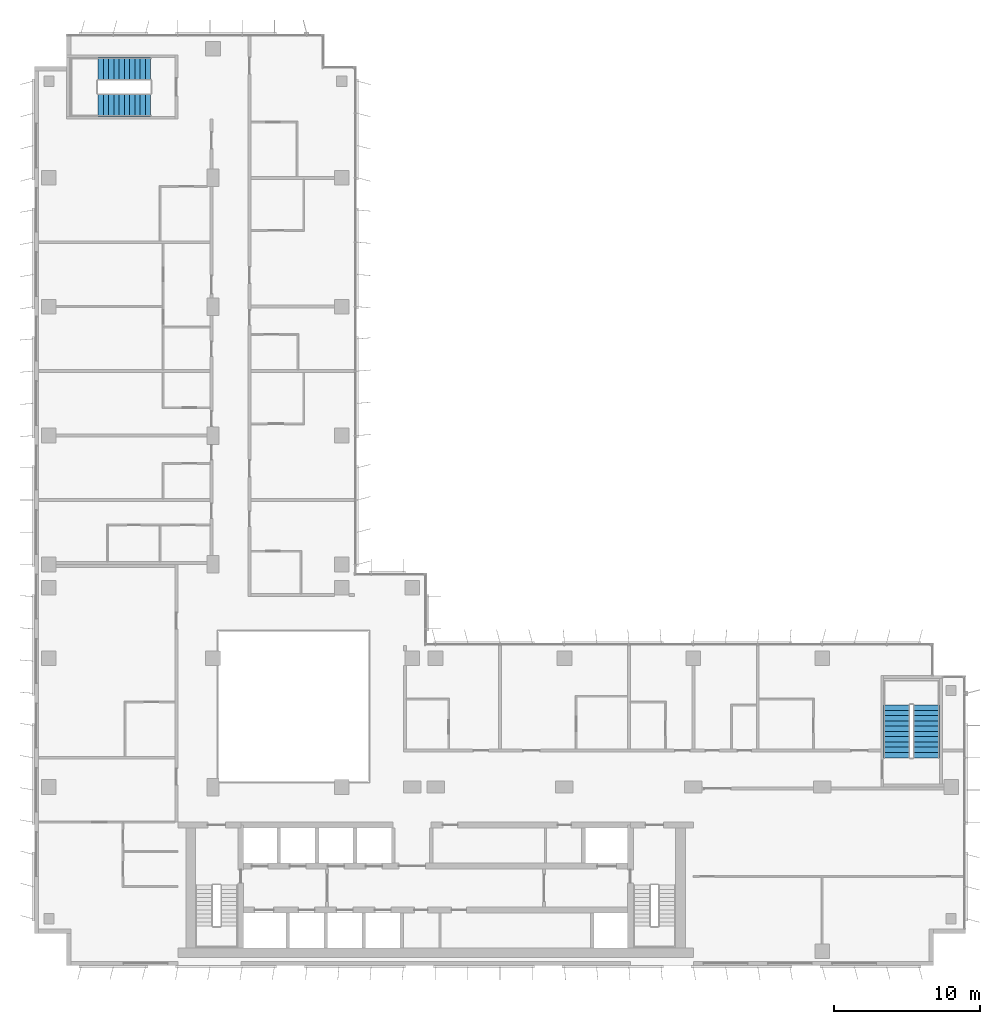
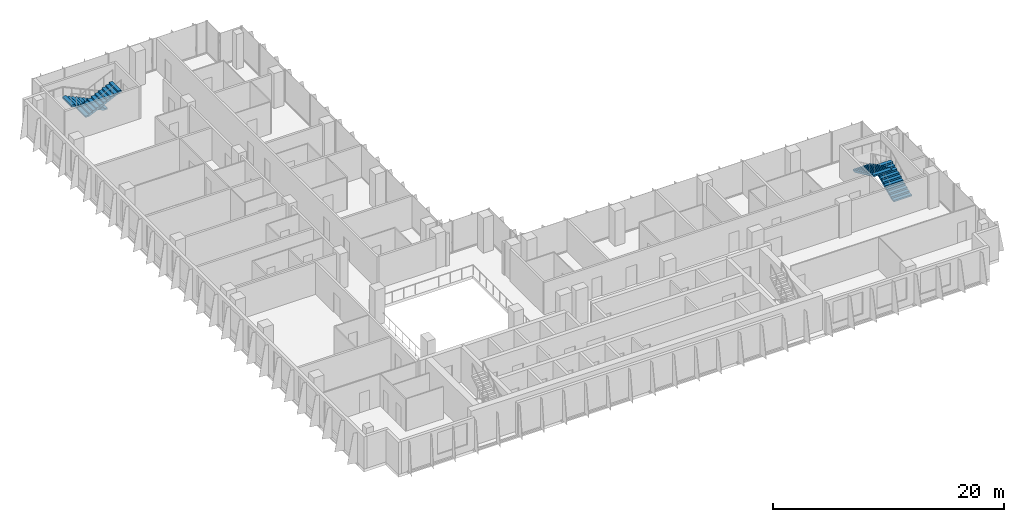
# One storey, part 18 of 21: 4 stair flights, 2 elements without a shape of their own.
"""IFC4 building model written with IfcOpenShell, lengths in metres."""

from ifc_helpers import new_model, si_unit, direction, frame, origin, place, context, subcontext, project, spatial, polyline, outline, extrude, material, type_object, element, aggregate, save


model = new_model("IFC4")

# Units and contexts
model_context = context("Model", 3, precision=1e-05, world=origin(), true_north=direction((0.0, 1.0)))
body_context = subcontext(model_context, "Body", "Model", "MODEL_VIEW")
ifc_project = project(units=[si_unit("LENGTHUNIT", "METRE"), si_unit("AREAUNIT", "SQUARE_METRE"), si_unit("VOLUMEUNIT", "CUBIC_METRE"), si_unit("PLANEANGLEUNIT", "RADIAN"), si_unit("MASSUNIT", "GRAM", prefix="KILO")], contexts=[model_context])

# Site, building, storey
site_placement = place(None, origin())
site = spatial("IfcSite", under=ifc_project, at=site_placement, CompositionType="ELEMENT")
building_placement = place(site_placement, origin())
building = spatial("IfcBuilding", under=site, at=building_placement, Name="Kemantara Hotel Tower", CompositionType="ELEMENT")
storey_placement = place(building_placement, frame((0.0, 0.0, 179.0)))
storey = spatial("IfcBuildingStorey", under=building, at=storey_placement, Name="L44", CompositionType="ELEMENT", Elevation=179.0)

# Stair, stair flights
ifc_material = material(Name="Concrete fc 40 MPa", Category="concrete")
stair_type_1 = type_object("IfcStairType", Name="Stair 1550 wide 22 risers of 168 x 360 mm", PredefinedType="HALF_TURN_STAIR", material=ifc_material)
stair_1_placement = place(storey_placement, origin())
stair_1 = element("IfcStair", 1, at=stair_1_placement, inside=storey, type_object=stair_type_1, Name="L44 Exit stair ST4", PredefinedType="HALF_TURN_STAIR")
stair_flight_type_1 = type_object("IfcStairFlightType", Name="Stair flight 1550 wide 168 x 360 mm", PredefinedType="STRAIGHT", material=ifc_material)
stair_flight_1_placement = place(storey_placement, frame((7.949951171875, 61.22509765625, 0.0), z_axis=(0.0, 0.0, 1.0), x_axis=(-1.0, 0.0, 0.0)))
stair_flight_1 = element("IfcStairFlight", 2, at=stair_flight_1_placement, type_object=stair_flight_type_1, Name="ST4 flight 1", NumberOfRisers=11, NumberOfTreads=10, PredefinedType="STRAIGHT", RiserHeight=0.168181818, TreadLength=0.36, context=body_context, shape_type="SweptSolid", body=[
    extrude(outline(polyline([(0.0, 0.0), (0.0, 0.168212890625), (0.360107421875, 0.168212890625), (0.360107421875, 0.33642578125), (0.719970703125, 0.33642578125), (0.719970703125, 0.504638671875), (1.080078125, 0.504638671875), (1.080078125, 0.672607421875), (1.43994140625, 0.672607421875), (1.43994140625, 0.8408203125), (1.800048828125, 0.8408203125), (1.800048828125, 1.009033203125), (2.159912109375, 1.009033203125), (2.159912109375, 1.17724609375), (2.52001953125, 1.17724609375), (2.52001953125, 1.345458984375), (2.8798828125, 1.345458984375), (2.8798828125, 1.513671875), (3.239990234375, 1.513671875), (3.239990234375, 1.681884765625), (3.60009765625, 1.681884765625), (3.60009765625, 1.85009765625), (3.60009765625, 1.516357421875), (0.354248046875, 0.0), (0.0, 0.0)])), frame((0.0, 0.77490234375, 0.0), z_axis=(0.0, -1.0, 0.0), x_axis=(1.0, 0.0, 0.0)), (0.0, 0.0, 1.0), 1.550048828125),
])
stair_flight_2_placement = place(storey_placement, frame((4.35009765625, 58.77490234375, 1.85009765625), z_axis=(0.0, 0.0, 1.0), x_axis=(1.0, 0.0, 0.0)))
stair_flight_2 = element("IfcStairFlight", 3, at=stair_flight_2_placement, type_object=stair_flight_type_1, Name="ST4 flight 2", NumberOfRisers=11, NumberOfTreads=10, PredefinedType="STRAIGHT", RiserHeight=0.168181818, TreadLength=0.36, context=body_context, shape_type="SweptSolid", body=[
    extrude(outline(polyline([(0.0, 0.0), (0.0, 0.168212890625), (0.360107421875, 0.168212890625), (0.360107421875, 0.33642578125), (0.719970703125, 0.33642578125), (0.719970703125, 0.504638671875), (1.080078125, 0.504638671875), (1.080078125, 0.672607421875), (1.43994140625, 0.672607421875), (1.43994140625, 0.8408203125), (1.800048828125, 0.8408203125), (1.800048828125, 1.009033203125), (2.159912109375, 1.009033203125), (2.159912109375, 1.17724609375), (2.52001953125, 1.17724609375), (2.52001953125, 1.345458984375), (2.8798828125, 1.345458984375), (2.8798828125, 1.513671875), (3.239990234375, 1.513671875), (3.239990234375, 1.681884765625), (3.60009765625, 1.681884765625), (3.60009765625, 1.85009765625), (3.60009765625, 1.516357421875), (0.354248046875, 0.0), (0.0, 0.0)])), frame((0.0, 0.77490234375, 0.0), z_axis=(0.0, -1.0, 0.0), x_axis=(1.0, 0.0, 0.0)), (0.0, 0.0, 1.0), 1.550048828125),
])
aggregate(stair_1, [stair_flight_1, stair_flight_2])

stair_type_2 = type_object("IfcStairType", Name="Stair 1800 wide 22 risers of 168 x 360 mm", PredefinedType="HALF_TURN_STAIR", material=ifc_material)
stair_2_placement = place(storey_placement, origin())
stair_2 = element("IfcStair", 4, at=stair_2_placement, inside=storey, type_object=stair_type_2, Name="L44 Exit stair ST3", PredefinedType="HALF_TURN_STAIR")
stair_flight_type_2 = type_object("IfcStairFlightType", Name="Stair flight 1800 wide 168 x 360 mm", PredefinedType="STRAIGHT", material=ifc_material)
stair_flight_3_placement = place(storey_placement, frame((60.89990234375, 14.199951171875, 0.0), z_axis=(0.0, 0.0, 1.0), x_axis=(0.0, 1.0, 0.0)))
stair_flight_3 = element("IfcStairFlight", 5, at=stair_flight_3_placement, type_object=stair_flight_type_2, Name="ST3 flight 1", NumberOfRisers=11, NumberOfTreads=10, PredefinedType="STRAIGHT", RiserHeight=0.168181818, TreadLength=0.36, context=body_context, shape_type="SweptSolid", body=[
    extrude(outline(polyline([(0.0, 0.0), (0.0, 0.168212890625), (0.360107421875, 0.168212890625), (0.360107421875, 0.33642578125), (0.719970703125, 0.33642578125), (0.719970703125, 0.504638671875), (1.080078125, 0.504638671875), (1.080078125, 0.672607421875), (1.43994140625, 0.672607421875), (1.43994140625, 0.8408203125), (1.800048828125, 0.8408203125), (1.800048828125, 1.009033203125), (2.159912109375, 1.009033203125), (2.159912109375, 1.17724609375), (2.52001953125, 1.17724609375), (2.52001953125, 1.345458984375), (2.8798828125, 1.345458984375), (2.8798828125, 1.513671875), (3.239990234375, 1.513671875), (3.239990234375, 1.681884765625), (3.60009765625, 1.681884765625), (3.60009765625, 1.85009765625), (3.60009765625, 1.516357421875), (0.354248046875, 0.0), (0.0, 0.0)])), frame((0.0, 0.89990234375, 0.0), z_axis=(0.0, -1.0, 0.0), x_axis=(1.0, 0.0, 0.0)), (0.0, 0.0, 1.0), 1.800048828125),
])
stair_flight_4_placement = place(storey_placement, frame((58.89990234375, 17.800048828125, 1.85009765625), z_axis=(0.0, 0.0, 1.0), x_axis=(0.0, -1.0, 0.0)))
stair_flight_4 = element("IfcStairFlight", 6, at=stair_flight_4_placement, type_object=stair_flight_type_2, Name="ST3 flight 2", NumberOfRisers=11, NumberOfTreads=10, PredefinedType="STRAIGHT", RiserHeight=0.168181818, TreadLength=0.36, context=body_context, shape_type="SweptSolid", body=[
    extrude(outline(polyline([(0.0, 0.0), (0.0, 0.168212890625), (0.360107421875, 0.168212890625), (0.360107421875, 0.33642578125), (0.719970703125, 0.33642578125), (0.719970703125, 0.504638671875), (1.080078125, 0.504638671875), (1.080078125, 0.672607421875), (1.43994140625, 0.672607421875), (1.43994140625, 0.8408203125), (1.800048828125, 0.8408203125), (1.800048828125, 1.009033203125), (2.159912109375, 1.009033203125), (2.159912109375, 1.17724609375), (2.52001953125, 1.17724609375), (2.52001953125, 1.345458984375), (2.8798828125, 1.345458984375), (2.8798828125, 1.513671875), (3.239990234375, 1.513671875), (3.239990234375, 1.681884765625), (3.60009765625, 1.681884765625), (3.60009765625, 1.85009765625), (3.60009765625, 1.516357421875), (0.354248046875, 0.0), (0.0, 0.0)])), frame((0.0, 0.89990234375, 0.0), z_axis=(0.0, -1.0, 0.0), x_axis=(1.0, 0.0, 0.0)), (0.0, 0.0, 1.0), 1.800048828125),
])
aggregate(stair_2, [stair_flight_3, stair_flight_4])

save(model, "model.ifc")
